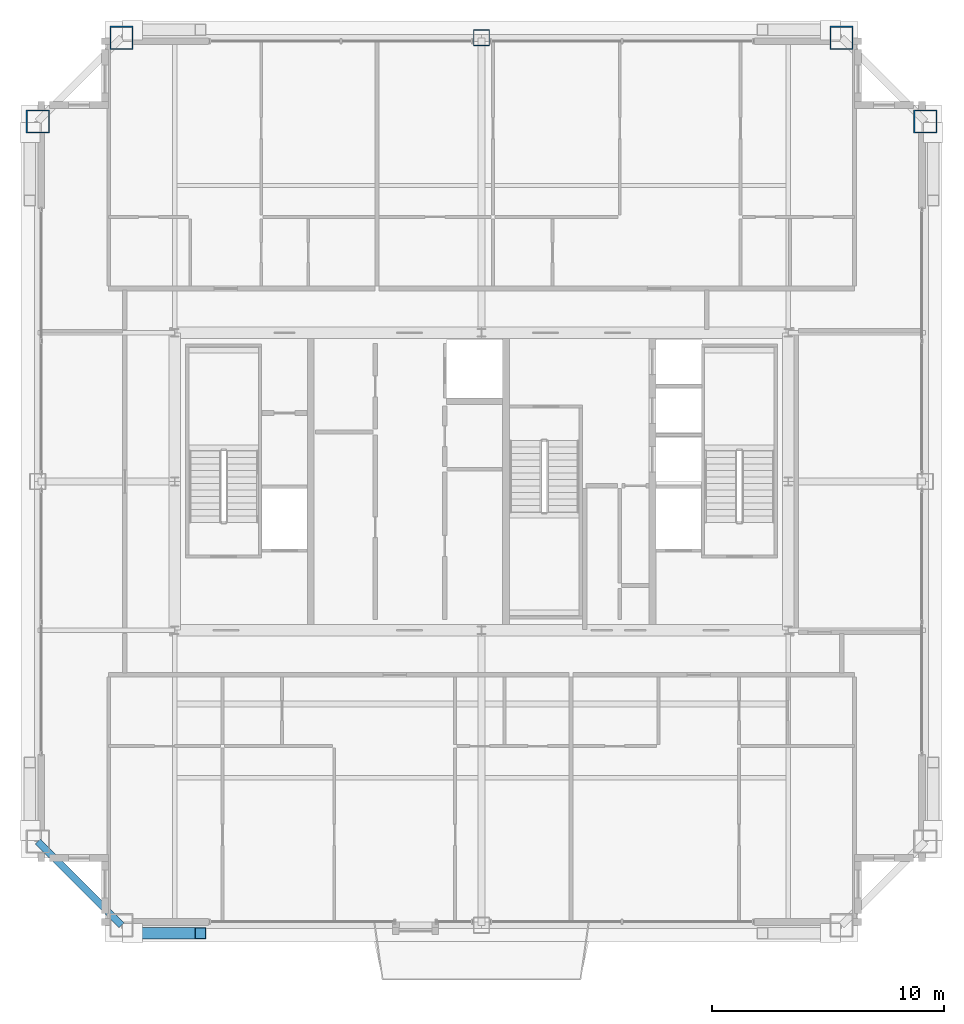
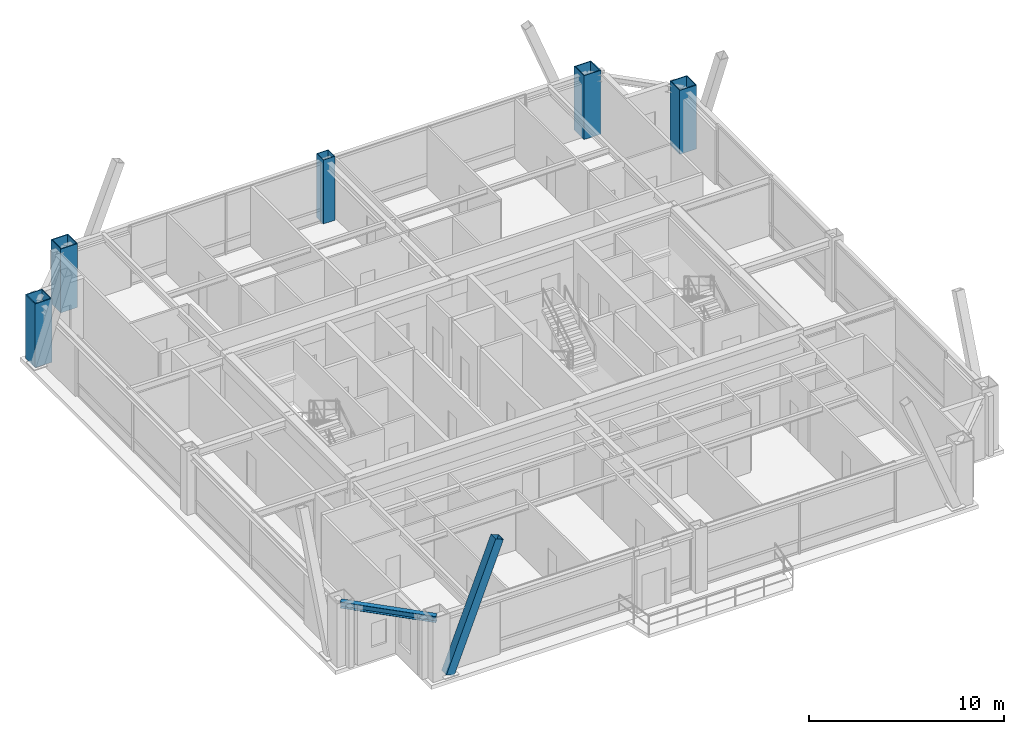
# One storey, part 3 of 35: 5 columns, 1 beam, 1 member.
"""IFC4 building model written with IfcOpenShell, lengths in metres."""

from ifc_helpers import new_model, si_unit, direction, frame, origin, origin_2d, place, context, subcontext, project, spatial, hollow_rectangle, i_section, extrude, source, transform, mapped, material, material_profile, profile_set, type_object, element, save


model = new_model("IFC4")

# Units and contexts
model_context = context("Model", 3, precision=1e-05, world=origin(), true_north=direction((0.0, 1.0)))
body_context = subcontext(model_context, "Body", "Model", "MODEL_VIEW")
ifc_project = project(units=[si_unit("LENGTHUNIT", "METRE"), si_unit("AREAUNIT", "SQUARE_METRE"), si_unit("VOLUMEUNIT", "CUBIC_METRE"), si_unit("PLANEANGLEUNIT", "RADIAN"), si_unit("MASSUNIT", "GRAM", prefix="KILO"), si_unit("THERMODYNAMICTEMPERATUREUNIT", "KELVIN"), si_unit("POWERUNIT", "WATT")], contexts=[model_context])

# Site, building, storey
site_placement = place(None, origin())
site = spatial("IfcSite", under=ifc_project, at=site_placement, CompositionType="ELEMENT")
building_placement = place(site_placement, origin())
building = spatial("IfcBuilding", under=site, at=building_placement, Name="Yuzanri Waterfront Tower", CompositionType="ELEMENT")
storey_placement = place(building_placement, frame((0.0, 0.0, 343.199951171875)))
storey = spatial("IfcBuildingStorey", under=building, at=storey_placement, Name="L92", CompositionType="ELEMENT", Elevation=343.199951171875)

# Columns
ifc_material_1 = material(Name="Steel Q390GJC", Category="steel")
ifc_material_profile_1 = material_profile(ifc_material_1, hollow_rectangle(XDim=1.0, YDim=1.0, WallThickness=0.048095703125, at=origin_2d()), Name="RHS 1000x1000x48")
ifc_profile_set_1 = profile_set([ifc_material_profile_1], Name="Steel Q390GJC")
column_type_1 = type_object("IfcColumnType", Name="Mega Column Q390GJC RHS 1000x1000x48", PredefinedType="COLUMN", material=ifc_profile_set_1)
shared_shape_1 = source(origin(), body_context, "Body", "SweptSolid", [
    extrude(hollow_rectangle(XDim=1.0, YDim=1.0, WallThickness=0.048095703125, at=origin_2d()), origin(), (0.0, 0.0, 1.0), 4.0),
])
for number, where, z_axis, x_axis, name in (
    (1, (21.5, 44.89990234375, 0.0), (0.0, 0.0, 1.0), (1.0, 0.0, 0.0), "L92 Perimeter Mega Column N1"),
    (2, (52.5, 44.89990234375, 0.0), (0.0, 0.0, 1.0), (1.0, 0.0, 0.0), "L92 Perimeter Mega Column N3"),
    (3, (17.89990234375, 41.300048828125, 0.0), (0.0, 0.0, 1.0), (1.0, 0.0, 0.0), "L92 Perimeter Mega Column W3"),
    (4, (56.10009765625, 41.300048828125, 0.0), (0.0, 0.0, 1.0), (1.0, 0.0, 0.0), "L92 Perimeter Mega Column E3"),
):
    element("IfcColumn", number, at=place(storey_placement, frame(where, z_axis=z_axis, x_axis=x_axis)), inside=storey, type_object=column_type_1, Name=name, PredefinedType="COLUMN", context=body_context, shape_type="MappedRepresentation", body=[
        mapped(shared_shape_1, transform((0.0, 0.0, 0.0), scale=1.0)),
    ])
ifc_material_2 = material(Name="Steel Q355B", Category="steel")
ifc_material_profile_2 = material_profile(ifc_material_2, hollow_rectangle(XDim=0.699951171875, YDim=0.699951171875, WallThickness=0.031982421875, at=origin_2d()), Name="RHS 700x700x32")
ifc_profile_set_2 = profile_set([ifc_material_profile_2], Name="Steel Q355B")
column_type_2 = type_object("IfcColumnType", Name="Frame Column Q355B RHS 700x700x32", PredefinedType="COLUMN", material=ifc_profile_set_2)
shared_shape_2 = source(origin(), body_context, "Body", "SweptSolid", [
    extrude(hollow_rectangle(XDim=0.699951171875, YDim=0.699951171875, WallThickness=0.031982421875, at=origin_2d()), origin(), (0.0, 0.0, 1.0), 4.0),
])
column_placement = place(storey_placement, frame((37.0, 44.89990234375, 0.0), z_axis=(0.0, 0.0, 1.0), x_axis=(1.0, 0.0, 0.0)))
element("IfcColumn", 5, at=column_placement, inside=storey, type_object=column_type_2, Name="L92 Perimeter Frame Column N2", PredefinedType="COLUMN", context=body_context, shape_type="MappedRepresentation", body=[
    mapped(shared_shape_2, transform((0.0, 0.0, 0.0), scale=1.0)),
])

# Beam
ifc_material_3 = material(Name="Steel Q355B", Category="steel")
ifc_material_profile_3 = material_profile(ifc_material_3, i_section(OverallWidth=0.300048828125, OverallDepth=0.389892578125, WebThickness=0.010009765625, FlangeThickness=0.01611328125, at=origin_2d()), Name="HM 390x300x10x16")
ifc_profile_set_3 = profile_set([ifc_material_profile_3], Name="Steel Q355B")
beam_type = type_object("IfcBeamType", Name="Perimeter Spandrel Q355B HM 390x300", PredefinedType="SPANDREL", material=ifc_profile_set_3)
shared_shape_3 = source(origin(), body_context, "Body", "SweptSolid", [
    extrude(i_section(OverallWidth=0.300048828125, OverallDepth=0.389892578125, WebThickness=0.010009765625, FlangeThickness=0.01611328125, at=origin_2d()), origin(), (0.0, 0.0, 1.0), 5.09130859375),
])
beam_placement = place(storey_placement, frame((17.89990234375, 10.300048828125, 3.56494140625), z_axis=(0.707106781187, -0.707106781187, 0.0), x_axis=(0.707106781187, 0.707106781187, 0.0)))
element("IfcBeam", 6, at=beam_placement, inside=storey, type_object=beam_type, Name="L92 Perimeter Spandrel W1-S1", PredefinedType="SPANDREL", context=body_context, shape_type="MappedRepresentation", body=[
    mapped(shared_shape_3, transform((0.0, 0.0, 0.0), scale=1.0)),
])

# Member
ifc_material_4 = material(Name="Steel Q390GJC", Category="steel")
ifc_material_profile_4 = material_profile(ifc_material_4, hollow_rectangle(XDim=0.5, YDim=0.5, WallThickness=0.02197265625, at=origin_2d()), Name="RHS 500x500x22")
ifc_profile_set_4 = profile_set([ifc_material_profile_4], Name="Steel Q390GJC")
member_type = type_object("IfcMemberType", Name="Mega Brace Upper Q390GJC RHS 500x500x22", PredefinedType="BRACE", material=ifc_profile_set_4)
shared_shape_4 = source(origin(), body_context, "Body", "SweptSolid", [
    extrude(hollow_rectangle(XDim=0.5, YDim=0.5, WallThickness=0.02197265625, at=origin_2d()), origin(), (0.0, 0.0, 1.0), 8.04833984375),
])
member_placement = place(storey_placement, frame((21.97998046875, 6.360107421875, 0.179931640625), z_axis=(0.362797559625, 0.0, 0.931867979238), x_axis=(0.0, 1.0, 0.0)))
element("IfcMember", 7, at=member_placement, inside=storey, type_object=member_type, Name="L92-L93 Perimeter Mega-Brace S-L", PredefinedType="BRACE", context=body_context, shape_type="MappedRepresentation", body=[
    mapped(shared_shape_4, transform((0.0, 0.0, 0.0), scale=1.0)),
])

save(model, "model.ifc")
